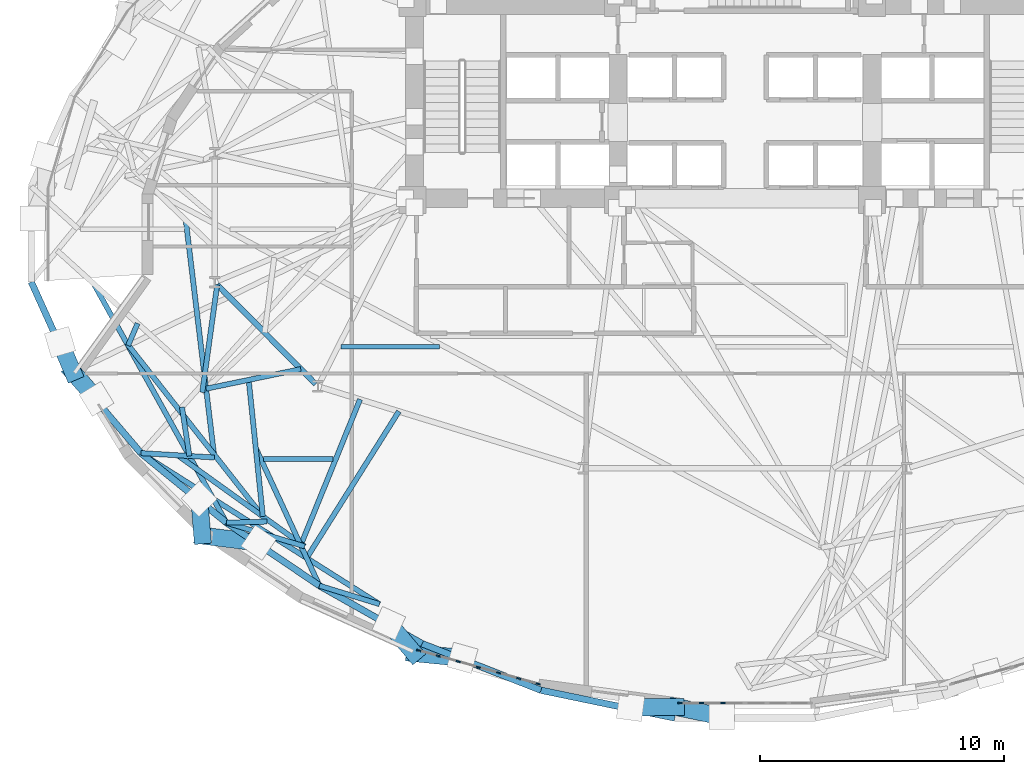
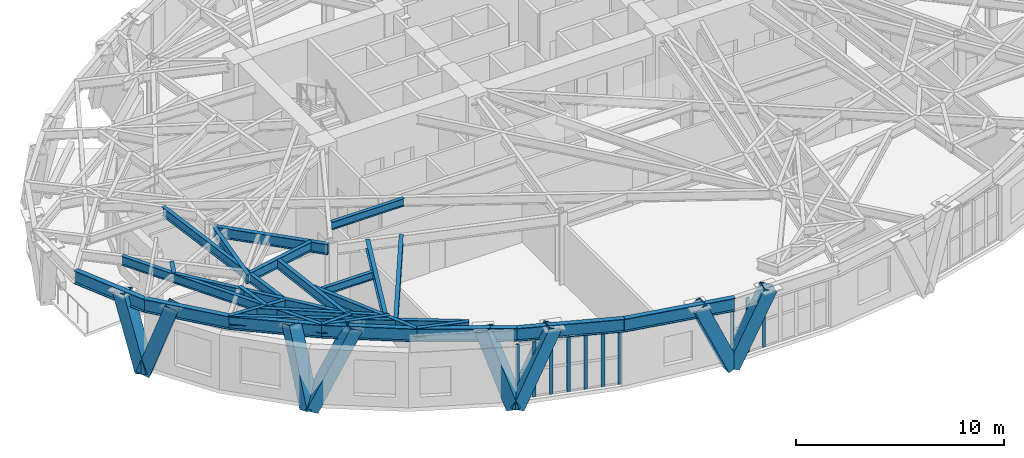
# One storey, part 2 of 20: 27 beams, 18 members, 2 elements without a shape of their own.
"""IFC4 building model written with IfcOpenShell, lengths in metres."""

from ifc_helpers import new_model, si_unit, direction, frame, origin, origin_2d, place, context, subcontext, project, spatial, rectangle, hollow_rectangle, i_section, extrude, material, layer, layer_set, material_profile, profile_set, type_object, element, aggregate, save


model = new_model("IFC4")

# Units and contexts
model_context = context("Model", 3, precision=1e-05, world=origin(), true_north=direction((0.0, 1.0)))
body_context = subcontext(model_context, "Body", "Model", "MODEL_VIEW")
ifc_project = project(units=[si_unit("LENGTHUNIT", "METRE"), si_unit("AREAUNIT", "SQUARE_METRE"), si_unit("VOLUMEUNIT", "CUBIC_METRE"), si_unit("PLANEANGLEUNIT", "RADIAN"), si_unit("MASSUNIT", "GRAM", prefix="KILO")], contexts=[model_context])

# Site, building, storey
site_placement = place(None, origin())
site = spatial("IfcSite", under=ifc_project, at=site_placement, CompositionType="ELEMENT")
building_placement = place(site_placement, origin())
building = spatial("IfcBuilding", under=site, at=building_placement, Name="Keldmark Tower", CompositionType="ELEMENT")
storey_placement = place(building_placement, frame((0.0, 0.0, 81.89990234375)))
storey = spatial("IfcBuildingStorey", under=building, at=storey_placement, Name="L21", CompositionType="ELEMENT", Elevation=81.89990234375)

# Beams
ifc_material_1 = material(Name="Steel ASTM A992 Grade 50", Category="steel")
ifc_material_profile_1 = material_profile(ifc_material_1, i_section(OverallWidth=0.19091796875, OverallDepth=0.45703125, WebThickness=0.009033203125, FlangeThickness=0.014404296875, at=origin_2d()), Name="W18X50")
ifc_profile_set_1 = profile_set([ifc_material_profile_1], Name="Steel ASTM A992 Grade 50")
beam_type_1 = type_object("IfcBeamType", Name="Composite Floor Joist W18X50", PredefinedType="JOIST", material=ifc_profile_set_1)
beam_1_placement = place(storey_placement, frame((-19.7080078125, -9.199951171875, 3.781494140625), z_axis=(1.0, 0.0, 0.0), x_axis=(0.0, 1.0, 0.0)))
element("IfcBeam", 1, at=beam_1_placement, inside=storey, type_object=beam_type_1, Name="L21 Composite Floor Joist J01", PredefinedType="JOIST", context=body_context, shape_type="SweptSolid", body=[
    extrude(i_section(OverallWidth=0.19091796875, OverallDepth=0.45703125, WebThickness=0.009033203125, FlangeThickness=0.014404296875, at=origin_2d()), origin(), (0.0, 0.0, 1.0), 2.857421875),
])
beam_2_placement = place(storey_placement, frame((-16.53857421875, -4.60009765625, 3.781494140625), z_axis=(1.0, 0.0, 0.0), x_axis=(0.0, 1.0, 0.0)))
element("IfcBeam", 2, at=beam_2_placement, inside=storey, type_object=beam_type_1, Name="L21 Composite Floor Joist J02", PredefinedType="JOIST", context=body_context, shape_type="SweptSolid", body=[
    extrude(i_section(OverallWidth=0.19091796875, OverallDepth=0.45703125, WebThickness=0.009033203125, FlangeThickness=0.014404296875, at=origin_2d()), origin(), (0.0, 0.0, 1.0), 4.03662109375),
])

# Curtain wall, members
ifc_material_2 = material(Name="Unitized Thermally Broken Aluminum and Triple Low-E Glazing", Category="aluminium")
ifc_layer = layer(ifc_material_2, 0.219970703125)
ifc_layer_set = layer_set([ifc_layer], Name="Unitized Thermally Broken Aluminum and Triple Low-E Glazing")
curtain_wall_type = type_object("IfcCurtainWallType", Name="Sky Lobby Amenity Curtain Wall System", PredefinedType="NOTDEFINED", material=ifc_layer_set)
curtain_wall_1_placement = place(storey_placement, origin())
curtain_wall_1 = element("IfcCurtainWall", 3, at=curtain_wall_1_placement, inside=storey, type_object=curtain_wall_type, Name="L21 Sky Lobby Amenity Curtain Wall System CW-L21-22", PredefinedType="NOTDEFINED")
ifc_material_3 = material(Name="Extruded Aluminum Alloy 6063-T6", Category="aluminium")
ifc_material_profile_2 = material_profile(ifc_material_3, rectangle(XDim=0.06005859375, YDim=0.179931640625, at=origin_2d()), Name="CWM60X180")
ifc_profile_set_2 = profile_set([ifc_material_profile_2], Name="Extruded Aluminum Alloy 6063-T6")
member_type_1 = type_object("IfcMemberType", Name="Curtain Wall Structural Mullion 60x180", PredefinedType="MULLION", material=ifc_profile_set_2)
member_1_placement = place(storey_placement, frame((-8.464599609375, -18.402587890625, 0.0), z_axis=(0.0, 0.0, 1.0), x_axis=(-0.270028458695, -0.962852341481, 0.0)))
member_1 = element("IfcMember", 4, at=member_1_placement, type_object=member_type_1, Name="CW mullion 1", PredefinedType="MULLION", context=body_context, shape_type="SweptSolid", body=[
    extrude(rectangle(XDim=0.06005859375, YDim=0.179931640625, at=origin_2d()), origin(), (0.0, 0.0, 1.0), 3.22802734375),
])
member_2_placement = place(storey_placement, frame((-9.260009765625, -18.179443359375, 0.0), z_axis=(0.0, 0.0, 1.0), x_axis=(-0.270028458695, -0.962852341481, 0.0)))
member_2 = element("IfcMember", 5, at=member_2_placement, type_object=member_type_1, Name="CW mullion 2", PredefinedType="MULLION", context=body_context, shape_type="SweptSolid", body=[
    extrude(rectangle(XDim=0.06005859375, YDim=0.179931640625, at=origin_2d()), origin(), (0.0, 0.0, 1.0), 3.22802734375),
])
member_3_placement = place(storey_placement, frame((-10.08447265625, -17.9482421875, 0.0), z_axis=(0.0, 0.0, 1.0), x_axis=(-0.270028458695, -0.962852341481, 0.0)))
member_3 = element("IfcMember", 6, at=member_3_placement, type_object=member_type_1, Name="CW mullion 3", PredefinedType="MULLION", context=body_context, shape_type="SweptSolid", body=[
    extrude(rectangle(XDim=0.06005859375, YDim=0.179931640625, at=origin_2d()), origin(), (0.0, 0.0, 1.0), 3.22802734375),
])
member_4_placement = place(storey_placement, frame((-10.90869140625, -17.717041015625, 0.0), z_axis=(0.0, 0.0, 1.0), x_axis=(-0.270028458695, -0.962852341481, 0.0)))
member_4 = element("IfcMember", 7, at=member_4_placement, type_object=member_type_1, Name="CW mullion 4", PredefinedType="MULLION", context=body_context, shape_type="SweptSolid", body=[
    extrude(rectangle(XDim=0.06005859375, YDim=0.179931640625, at=origin_2d()), origin(), (0.0, 0.0, 1.0), 3.22802734375),
])
member_5_placement = place(storey_placement, frame((-11.733154296875, -17.48583984375, 0.0), z_axis=(0.0, 0.0, 1.0), x_axis=(-0.270028458695, -0.962852341481, 0.0)))
member_5 = element("IfcMember", 8, at=member_5_placement, type_object=member_type_1, Name="CW mullion 5", PredefinedType="MULLION", context=body_context, shape_type="SweptSolid", body=[
    extrude(rectangle(XDim=0.06005859375, YDim=0.179931640625, at=origin_2d()), origin(), (0.0, 0.0, 1.0), 3.22802734375),
])
member_6_placement = place(storey_placement, frame((-12.5576171875, -17.254638671875, 0.0), z_axis=(0.0, 0.0, 1.0), x_axis=(-0.270028458695, -0.962852341481, 0.0)))
member_6 = element("IfcMember", 9, at=member_6_placement, type_object=member_type_1, Name="CW mullion 6", PredefinedType="MULLION", context=body_context, shape_type="SweptSolid", body=[
    extrude(rectangle(XDim=0.06005859375, YDim=0.179931640625, at=origin_2d()), origin(), (0.0, 0.0, 1.0), 3.22802734375),
])
member_7_placement = place(storey_placement, frame((-13.35302734375, -17.031494140625, 0.0), z_axis=(0.0, 0.0, 1.0), x_axis=(-0.270028458695, -0.962852341481, 0.0)))
member_7 = element("IfcMember", 10, at=member_7_placement, type_object=member_type_1, Name="CW mullion 7", PredefinedType="MULLION", context=body_context, shape_type="SweptSolid", body=[
    extrude(rectangle(XDim=0.06005859375, YDim=0.179931640625, at=origin_2d()), origin(), (0.0, 0.0, 1.0), 3.22802734375),
])
aggregate(curtain_wall_1, [member_1, member_2, member_3, member_4, member_5, member_6, member_7])

curtain_wall_2_placement = place(storey_placement, origin())
curtain_wall_2 = element("IfcCurtainWall", 11, at=curtain_wall_2_placement, inside=storey, type_object=curtain_wall_type, Name="L21 Sky Lobby Amenity Curtain Wall System CW-L21-24", PredefinedType="NOTDEFINED")
member_8_placement = place(storey_placement, frame((-0.894287109375, -19.18603515625, 0.0), z_axis=(0.0, 0.0, 1.0), x_axis=(0.0, -1.0, 0.0)))
member_8 = element("IfcMember", 12, at=member_8_placement, type_object=member_type_1, Name="CW mullion 5", PredefinedType="MULLION", context=body_context, shape_type="SweptSolid", body=[
    extrude(rectangle(XDim=0.06005859375, YDim=0.179931640625, at=origin_2d()), origin(), (0.0, 0.0, 1.0), 3.22802734375),
])
member_9_placement = place(storey_placement, frame((-1.78857421875, -19.18603515625, 0.0), z_axis=(0.0, 0.0, 1.0), x_axis=(0.0, -1.0, 0.0)))
member_9 = element("IfcMember", 13, at=member_9_placement, type_object=member_type_1, Name="CW mullion 6", PredefinedType="MULLION", context=body_context, shape_type="SweptSolid", body=[
    extrude(rectangle(XDim=0.06005859375, YDim=0.179931640625, at=origin_2d()), origin(), (0.0, 0.0, 1.0), 3.22802734375),
])
member_10_placement = place(storey_placement, frame((-2.65283203125, -19.18603515625, 0.0), z_axis=(0.0, 0.0, 1.0), x_axis=(0.0, -1.0, 0.0)))
member_10 = element("IfcMember", 14, at=member_10_placement, type_object=member_type_1, Name="CW mullion 7", PredefinedType="MULLION", context=body_context, shape_type="SweptSolid", body=[
    extrude(rectangle(XDim=0.06005859375, YDim=0.179931640625, at=origin_2d()), origin(), (0.0, 0.0, 1.0), 3.22802734375),
])
aggregate(curtain_wall_2, [member_8, member_9, member_10])

# Members
ifc_material_4 = material(Name="Steel ASTM A572 Grade 50", Category="steel")
ifc_material_profile_3 = material_profile(ifc_material_4, hollow_rectangle(XDim=0.699951171875, YDim=0.699951171875, WallThickness=0.054931640625, at=origin_2d()), Name="BOX700X700X55")
ifc_profile_set_3 = profile_set([ifc_material_profile_3], Name="Steel ASTM A572 Grade 50")
member_type_2 = type_object("IfcMemberType", Name="Diagrid Zone 1 Brace BOX700X700X55", PredefinedType="BRACE", material=ifc_profile_set_3)
member_11_placement = place(storey_placement, frame((-27.500244140625, -5.65478515625, -0.2998046875), z_axis=(-0.12044174913, 0.281049240485, 0.952105618873), x_axis=(-0.919154414374, -0.393897401028, 0.0)))
element("IfcMember", 15, at=member_11_placement, inside=storey, type_object=member_type_2, Name="L21 Perimeter Diagrid Brace 09A", PredefinedType="BRACE", context=body_context, shape_type="SweptSolid", body=[
    extrude(hollow_rectangle(XDim=0.699951171875, YDim=0.699951171875, WallThickness=0.054931640625, at=origin_2d()), origin(), (0.0, 0.0, 1.0), 4.400634765625),
])
member_12_placement = place(storey_placement, frame((-27.50244140625, -5.643310546875, -0.2998046875), z_axis=(0.217627513872, -0.247554047629, 0.944116125648), x_axis=(0.751044511296, 0.66025157482, 0.0)))
element("IfcMember", 16, at=member_12_placement, inside=storey, type_object=member_type_2, Name="L21 Perimeter Diagrid Brace 09B", PredefinedType="BRACE", context=body_context, shape_type="SweptSolid", body=[
    extrude(hollow_rectangle(XDim=0.699951171875, YDim=0.699951171875, WallThickness=0.054931640625, at=origin_2d()), origin(), (0.0, 0.0, 1.0), 4.43798828125),
])
member_13_placement = place(storey_placement, frame((-22.209716796875, -12.34228515625, -0.2998046875), z_axis=(-0.027823861202, 0.340075500402, 0.939986429037), x_axis=(-0.996669722655, -0.081544245307, 0.0)))
element("IfcMember", 17, at=member_13_placement, inside=storey, type_object=member_type_2, Name="L21 Perimeter Diagrid Brace 10A", PredefinedType="BRACE", context=body_context, shape_type="SweptSolid", body=[
    extrude(hollow_rectangle(XDim=0.699951171875, YDim=0.699951171875, WallThickness=0.054931640625, at=origin_2d()), origin(), (0.0, 0.0, 1.0), 4.45751953125),
])
member_14_placement = place(storey_placement, frame((-22.21630859375, -12.33251953125, -0.2998046875), z_axis=(0.482147603591, -0.061108695005, 0.8739561864), x_axis=(0.125736835379, 0.992063631139, 0.0)))
element("IfcMember", 18, at=member_14_placement, inside=storey, type_object=member_type_2, Name="L21 Perimeter Diagrid Brace 10B", PredefinedType="BRACE", context=body_context, shape_type="SweptSolid", body=[
    extrude(hollow_rectangle(XDim=0.699951171875, YDim=0.699951171875, WallThickness=0.054931640625, at=origin_2d()), origin(), (0.0, 0.0, 1.0), 4.794189453125),
])
member_15_placement = place(storey_placement, frame((-13.5380859375, -17.151123046875, -0.2998046875), z_axis=(-0.231139046021, 0.274593186673, 0.933366660663), x_axis=(-0.765044778208, -0.643977086034, 0.0)))
element("IfcMember", 19, at=member_15_placement, inside=storey, type_object=member_type_2, Name="L21 Perimeter Diagrid Brace 11A", PredefinedType="BRACE", context=body_context, shape_type="SweptSolid", body=[
    extrude(hollow_rectangle(XDim=0.699951171875, YDim=0.699951171875, WallThickness=0.054931640625, at=origin_2d()), origin(), (0.0, 0.0, 1.0), 4.489013671875),
])
member_16_placement = place(storey_placement, frame((-13.5478515625, -17.14453125, -0.2998046875), z_axis=(0.427483701348, -0.041674925094, 0.90306195009), x_axis=(0.097028926271, 0.995281561904, 0.0)))
element("IfcMember", 20, at=member_16_placement, inside=storey, type_object=member_type_2, Name="L21 Perimeter Diagrid Brace 11B", PredefinedType="BRACE", context=body_context, shape_type="SweptSolid", body=[
    extrude(hollow_rectangle(XDim=0.699951171875, YDim=0.699951171875, WallThickness=0.054931640625, at=origin_2d()), origin(), (0.0, 0.0, 1.0), 4.6396484375),
])
member_17_placement = place(storey_placement, frame((-2.805419921875, -19.3486328125, -0.2998046875), z_axis=(-0.409129143285, -0.002764745348, 0.912472301113), x_axis=(0.006757480537, -0.999977167968, 0.0)))
element("IfcMember", 21, at=member_17_placement, inside=storey, type_object=member_type_2, Name="L21 Perimeter Diagrid Brace 12A", PredefinedType="BRACE", context=body_context, shape_type="SweptSolid", body=[
    extrude(hollow_rectangle(XDim=0.699951171875, YDim=0.699951171875, WallThickness=0.054931640625, at=origin_2d()), origin(), (0.0, 0.0, 1.0), 4.591796875),
])
member_18_placement = place(storey_placement, frame((-2.81689453125, -19.346435546875, -0.2998046875), z_axis=(0.404995460676, -0.085083525727, 0.910351289603), x_axis=(0.205597030083, 0.978636736088, 0.0)))
element("IfcMember", 22, at=member_18_placement, inside=storey, type_object=member_type_2, Name="L21 Perimeter Diagrid Brace 12B", PredefinedType="BRACE", context=body_context, shape_type="SweptSolid", body=[
    extrude(hollow_rectangle(XDim=0.699951171875, YDim=0.699951171875, WallThickness=0.054931640625, at=origin_2d()), origin(), (0.0, 0.0, 1.0), 4.6025390625),
])

# Beams
ifc_material_5 = material(Name="Steel ASTM A992 Grade 50", Category="steel")
ifc_material_profile_4 = material_profile(ifc_material_5, i_section(OverallWidth=0.22900390625, OverallDepth=0.612060546875, WebThickness=0.011962890625, FlangeThickness=0.01953125, at=origin_2d()), Name="W24X84")
ifc_profile_set_4 = profile_set([ifc_material_profile_4], Name="Steel ASTM A992 Grade 50")
beam_type_2 = type_object("IfcBeamType", Name="Primary Floor Girder W24X84", PredefinedType="BEAM", material=ifc_profile_set_4)
beam_3_placement = place(storey_placement, frame((-21.598388671875, -2.0654296875, 3.7041015625), z_axis=(0.703425791323, -0.71076870788, 0.0), x_axis=(0.71076870788, 0.703425791323, 0.0)))
element("IfcBeam", 23, at=beam_3_placement, inside=storey, type_object=beam_type_2, Name="L21 Floor Ring Girder FG-R07", PredefinedType="BEAM", context=body_context, shape_type="SweptSolid", body=[
    extrude(i_section(OverallWidth=0.22900390625, OverallDepth=0.612060546875, WebThickness=0.011962890625, FlangeThickness=0.01953125, at=origin_2d()), origin(), (0.0, 0.0, 1.0), 5.71875),
])
ifc_material_6 = material(Name="Steel ASTM A992 Grade 50", Category="steel")
ifc_material_profile_5 = material_profile(ifc_material_6, i_section(OverallWidth=0.2099609375, OverallDepth=0.537109375, WebThickness=0.010986328125, FlangeThickness=0.017333984375, at=origin_2d()), Name="W21X68")
ifc_profile_set_5 = profile_set([ifc_material_profile_5], Name="Steel ASTM A992 Grade 50")
beam_type_3 = type_object("IfcBeamType", Name="Radial Tie Girder W21X68", PredefinedType="BEAM", material=ifc_profile_set_5)
beam_4_placement = place(storey_placement, frame((-21.598388671875, -2.0654296875, 3.74169921875), z_axis=(-0.137339492134, -0.990524034994, 0.0), x_axis=(0.990524034994, -0.137339492134, 0.0)))
element("IfcBeam", 24, at=beam_4_placement, inside=storey, type_object=beam_type_3, Name="L21 Local Collector Chord RT-19C", PredefinedType="BEAM", context=body_context, shape_type="SweptSolid", body=[
    extrude(i_section(OverallWidth=0.2099609375, OverallDepth=0.537109375, WebThickness=0.010986328125, FlangeThickness=0.017333984375, at=origin_2d()), origin(), (0.0, 0.0, 1.0), 4.44775390625),
])
beam_5_placement = place(storey_placement, frame((-18.17919921875, -5.5205078125, 3.74169921875), z_axis=(-0.979253664514, -0.202638250426, 0.0), x_axis=(0.202638250426, -0.979253664514, 0.0)))
element("IfcBeam", 25, at=beam_5_placement, inside=storey, type_object=beam_type_3, Name="L21 Framing Pin Header PH-025", PredefinedType="BEAM", context=body_context, shape_type="SweptSolid", body=[
    extrude(i_section(OverallWidth=0.2099609375, OverallDepth=0.537109375, WebThickness=0.010986328125, FlangeThickness=0.017333984375, at=origin_2d()), origin(), (0.0, 0.0, 1.0), 3.95654296875),
])
beam_6_placement = place(storey_placement, frame((-22.884521484375, 0.572509765625, 3.74169921875), z_axis=(0.119646231292, -0.992816588972, 0.0), x_axis=(0.992816588972, 0.119646231292, 0.0)))
element("IfcBeam", 26, at=beam_6_placement, inside=storey, type_object=beam_type_3, Name="L21 Intermediate Radial Step Girder RT-20M", PredefinedType="BEAM", context=body_context, shape_type="SweptSolid", body=[
    extrude(i_section(OverallWidth=0.2099609375, OverallDepth=0.537109375, WebThickness=0.010986328125, FlangeThickness=0.017333984375, at=origin_2d()), origin(), (0.0, 0.0, 1.0), 9.7802734375),
])
beam_7_placement = place(storey_placement, frame((-24.720458984375, -8.956298828125, 3.74169921875), z_axis=(0.99818920544, -0.060152391004, 0.0), x_axis=(0.060152391004, 0.99818920544, 0.0)))
element("IfcBeam", 27, at=beam_7_placement, inside=storey, type_object=beam_type_3, Name="L21 Local Collector Chord RT-20C", PredefinedType="BEAM", context=body_context, shape_type="SweptSolid", body=[
    extrude(i_section(OverallWidth=0.2099609375, OverallDepth=0.537109375, WebThickness=0.010986328125, FlangeThickness=0.017333984375, at=origin_2d()), origin(), (0.0, 0.0, 1.0), 3.011474609375),
])
beam_8_placement = place(storey_placement, frame((-23.041015625, -7.0771484375, 3.74169921875), z_axis=(0.151049979818, -0.988526126917, 0.0), x_axis=(0.988526126917, 0.151049979818, 0.0)))
element("IfcBeam", 28, at=beam_8_placement, inside=storey, type_object=beam_type_3, Name="L21 Framing Pin Header PH-026", PredefinedType="BEAM", context=body_context, shape_type="SweptSolid", body=[
    extrude(i_section(OverallWidth=0.2099609375, OverallDepth=0.537109375, WebThickness=0.010986328125, FlangeThickness=0.017333984375, at=origin_2d()), origin(), (0.0, 0.0, 1.0), 2.02197265625),
])
beam_9_placement = place(storey_placement, frame((-26.654541015625, -2.022705078125, 3.74169921875), z_axis=(0.485696652622, -0.874127428715, 0.0), x_axis=(0.874127428715, 0.485696652622, 0.0)))
element("IfcBeam", 29, at=beam_9_placement, inside=storey, type_object=beam_type_3, Name="L21 Perimeter Radial Tie Girder RT-20", PredefinedType="BEAM", context=body_context, shape_type="SweptSolid", body=[
    extrude(i_section(OverallWidth=0.2099609375, OverallDepth=0.537109375, WebThickness=0.010986328125, FlangeThickness=0.017333984375, at=origin_2d()), origin(), (0.0, 0.0, 1.0), 11.189697265625),
])
beam_10_placement = place(storey_placement, frame((-25.2958984375, -4.468017578125, 3.74169921875), z_axis=(0.617943607144, -0.786222422976, 0.0), x_axis=(0.786222422976, 0.617943607144, 0.0)))
element("IfcBeam", 30, at=beam_10_placement, inside=storey, type_object=beam_type_3, Name="L21 Intermediate Radial Step Girder RT-21M", PredefinedType="BEAM", context=body_context, shape_type="SweptSolid", body=[
    extrude(i_section(OverallWidth=0.2099609375, OverallDepth=0.537109375, WebThickness=0.010986328125, FlangeThickness=0.017333984375, at=origin_2d()), origin(), (0.0, 0.0, 1.0), 9.275146484375),
])
beam_11_placement = place(storey_placement, frame((-21.2197265625, -11.803955078125, 3.74169921875), z_axis=(0.999651670933, 0.026391983643, 0.0), x_axis=(-0.026391983643, 0.999651670933, 0.0)))
element("IfcBeam", 31, at=beam_11_placement, inside=storey, type_object=beam_type_3, Name="L21 Local Collector Chord RT-21C", PredefinedType="BEAM", context=body_context, shape_type="SweptSolid", body=[
    extrude(i_section(OverallWidth=0.2099609375, OverallDepth=0.537109375, WebThickness=0.010986328125, FlangeThickness=0.017333984375, at=origin_2d()), origin(), (0.0, 0.0, 1.0), 1.65576171875),
])
beam_12_placement = place(storey_placement, frame((-24.85498046875, -3.648193359375, 3.74169921875), z_axis=(-0.394782171524, -0.918774747719, 0.0), x_axis=(0.918774747719, -0.394782171524, 0.0)))
element("IfcBeam", 32, at=beam_12_placement, inside=storey, type_object=beam_type_3, Name="L21 Framing Pin Header PH-041", PredefinedType="BEAM", context=body_context, shape_type="SweptSolid", body=[
    extrude(i_section(OverallWidth=0.2099609375, OverallDepth=0.537109375, WebThickness=0.010986328125, FlangeThickness=0.017333984375, at=origin_2d()), origin(), (0.0, 0.0, 1.0), 0.989990234375),
])
beam_13_placement = place(storey_placement, frame((-20.31005859375, -5.96142578125, 3.74169921875), z_axis=(0.103139374545, -0.994666913805, 0.0), x_axis=(0.994666913805, 0.103139374545, 0.0)))
element("IfcBeam", 33, at=beam_13_placement, inside=storey, type_object=beam_type_3, Name="L21 Framing Pin Header PH-042", PredefinedType="BEAM", context=body_context, shape_type="SweptSolid", body=[
    extrude(i_section(OverallWidth=0.2099609375, OverallDepth=0.537109375, WebThickness=0.010986328125, FlangeThickness=0.017333984375, at=origin_2d()), origin(), (0.0, 0.0, 1.0), 5.6171875),
])
beam_14_placement = place(storey_placement, frame((-23.21728515625, -9.046875, 3.74169921875), z_axis=(0.812483220104, -0.582984577026, 0.0), x_axis=(0.582984577026, 0.812483220104, 0.0)))
element("IfcBeam", 34, at=beam_14_placement, inside=storey, type_object=beam_type_3, Name="L21 Crown Step Radial Girder RT-21RN1", PredefinedType="BEAM", context=body_context, shape_type="SweptSolid", body=[
    extrude(i_section(OverallWidth=0.2099609375, OverallDepth=0.537109375, WebThickness=0.010986328125, FlangeThickness=0.017333984375, at=origin_2d()), origin(), (0.0, 0.0, 1.0), 6.3955078125),
])
beam_15_placement = place(storey_placement, frame((-18.02099609375, -12.775390625, 3.74169921875), z_axis=(-0.956847946685, 0.290589068834, 0.0), x_axis=(-0.290589068834, -0.956847946685, 0.0)))
element("IfcBeam", 35, at=beam_15_placement, inside=storey, type_object=beam_type_3, Name="L21 Crown Step Collector Chord RT-21RP1", PredefinedType="BEAM", context=body_context, shape_type="SweptSolid", body=[
    extrude(i_section(OverallWidth=0.2099609375, OverallDepth=0.537109375, WebThickness=0.010986328125, FlangeThickness=0.017333984375, at=origin_2d()), origin(), (0.0, 0.0, 1.0), 3.343017578125),
])
beam_16_placement = place(storey_placement, frame((-15.75390625, -6.760986328125, 3.74169921875), z_axis=(-0.376893493368, -0.92625660303, 0.0), x_axis=(0.92625660303, -0.376893493368, 0.0)))
element("IfcBeam", 36, at=beam_16_placement, inside=storey, type_object=beam_type_3, Name="L21 Framing Pin Header PH-043", PredefinedType="BEAM", context=body_context, shape_type="SweptSolid", body=[
    extrude(i_section(OverallWidth=0.2099609375, OverallDepth=0.537109375, WebThickness=0.010986328125, FlangeThickness=0.017333984375, at=origin_2d()), origin(), (0.0, 0.0, 1.0), 6.440673828125),
])
beam_17_placement = place(storey_placement, frame((-20.0205078125, -8.7548828125, 3.74169921875), z_axis=(0.420166188299, -0.907447174336, 0.0), x_axis=(0.907447174336, 0.420166188299, 0.0)))
element("IfcBeam", 37, at=beam_17_placement, inside=storey, type_object=beam_type_3, Name="L21 Perimeter Radial Tie Girder RT-21R", PredefinedType="BEAM", context=body_context, shape_type="SweptSolid", body=[
    extrude(i_section(OverallWidth=0.2099609375, OverallDepth=0.537109375, WebThickness=0.010986328125, FlangeThickness=0.017333984375, at=origin_2d()), origin(), (0.0, 0.0, 1.0), 6.2021484375),
])
beam_18_placement = place(storey_placement, frame((-14.164306640625, -7.2509765625, 3.74169921875), z_axis=(-0.532433207689, -0.846472019236, 0.0), x_axis=(0.846472019236, -0.532433207689, 0.0)))
element("IfcBeam", 38, at=beam_18_placement, inside=storey, type_object=beam_type_3, Name="L21 Framing Pin Header PH-044", PredefinedType="BEAM", context=body_context, shape_type="SweptSolid", body=[
    extrude(i_section(OverallWidth=0.2099609375, OverallDepth=0.537109375, WebThickness=0.010986328125, FlangeThickness=0.017333984375, at=origin_2d()), origin(), (0.0, 0.0, 1.0), 7.088623046875),
])
beam_19_placement = place(storey_placement, frame((-24.720458984375, -8.956298828125, 3.74169921875), z_axis=(0.844831492409, -0.535032475121, 0.0), x_axis=(0.535032475121, 0.844831492409, 0.0)))
element("IfcBeam", 39, at=beam_19_placement, inside=storey, type_object=beam_type_3, Name="L21 Crown Step Radial Girder RT-22RN1", PredefinedType="BEAM", context=body_context, shape_type="SweptSolid", body=[
    extrude(i_section(OverallWidth=0.2099609375, OverallDepth=0.537109375, WebThickness=0.010986328125, FlangeThickness=0.017333984375, at=origin_2d()), origin(), (0.0, 0.0, 1.0), 11.5537109375),
])
beam_20_placement = place(storey_placement, frame((-14.95947265625, -15.137939453125, 3.74169921875), z_axis=(-0.955836535035, 0.293898823223, 0.0), x_axis=(-0.293898823223, -0.955836535035, 0.0)))
element("IfcBeam", 40, at=beam_20_placement, inside=storey, type_object=beam_type_3, Name="L21 Crown Step Collector Chord RT-22RP1", PredefinedType="BEAM", context=body_context, shape_type="SweptSolid", body=[
    extrude(i_section(OverallWidth=0.2099609375, OverallDepth=0.537109375, WebThickness=0.010986328125, FlangeThickness=0.017333984375, at=origin_2d()), origin(), (0.0, 0.0, 1.0), 2.568603515625),
])
ifc_material_7 = material(Name="Steel ASTM A992 Grade 50", Category="steel")
ifc_material_profile_6 = material_profile(ifc_material_7, i_section(OverallWidth=0.26806640625, OverallDepth=0.77001953125, WebThickness=0.015625, FlangeThickness=0.025390625, at=origin_2d()), Name="W30X132")
ifc_profile_set_6 = profile_set([ifc_material_profile_6], Name="Steel ASTM A992 Grade 50")
beam_type_4 = type_object("IfcBeamType", Name="Spandrel Ring Beam W30X132", PredefinedType="SPANDREL", material=ifc_profile_set_6)
beam_21_placement = place(storey_placement, frame((-29.2080078125, -1.949951171875, 3.625), z_axis=(0.411809988363, -0.911269736952, 0.0), x_axis=(0.911269736952, 0.411809988363, 0.0)))
element("IfcBeam", 41, at=beam_21_placement, inside=storey, type_object=beam_type_4, Name="L21 Perimeter Spandrel Ring Beam SRB-17", PredefinedType="SPANDREL", context=body_context, shape_type="SweptSolid", body=[
    extrude(i_section(OverallWidth=0.26806640625, OverallDepth=0.77001953125, WebThickness=0.015625, FlangeThickness=0.025390625, at=origin_2d()), origin(), (0.0, 0.0, 1.0), 4.072265625),
])
beam_22_placement = place(storey_placement, frame((-27.531005859375, -5.660888671875, 3.625), z_axis=(0.648913975558, -0.760861782669, 0.0), x_axis=(0.760861782669, 0.648913975558, 0.0)))
element("IfcBeam", 42, at=beam_22_placement, inside=storey, type_object=beam_type_4, Name="L21 Perimeter Spandrel Ring Beam SRB-18", PredefinedType="SPANDREL", context=body_context, shape_type="SweptSolid", body=[
    extrude(i_section(OverallWidth=0.26806640625, OverallDepth=0.77001953125, WebThickness=0.015625, FlangeThickness=0.025390625, at=origin_2d()), origin(), (0.0, 0.0, 1.0), 4.3310546875),
])
beam_23_placement = place(storey_placement, frame((-24.720458984375, -8.956298828125, 3.625), z_axis=(0.775754770681, -0.631034496494, 0.0), x_axis=(0.631034496494, 0.775754770681, 0.0)))
element("IfcBeam", 43, at=beam_23_placement, inside=storey, type_object=beam_type_4, Name="L21 Perimeter Spandrel Ring Beam SRB-19", PredefinedType="SPANDREL", context=body_context, shape_type="SweptSolid", body=[
    extrude(i_section(OverallWidth=0.26806640625, OverallDepth=0.77001953125, WebThickness=0.015625, FlangeThickness=0.025390625, at=origin_2d()), origin(), (0.0, 0.0, 1.0), 4.5126953125),
])
beam_24_placement = place(storey_placement, frame((-21.2197265625, -11.803955078125, 3.625), z_axis=(0.827777061901, -0.561057159112, 0.0), x_axis=(0.561057159112, 0.827777061901, 0.0)))
element("IfcBeam", 44, at=beam_24_placement, inside=storey, type_object=beam_type_4, Name="L21 Perimeter Spandrel Ring Beam SRB-20", PredefinedType="SPANDREL", context=body_context, shape_type="SweptSolid", body=[
    extrude(i_section(OverallWidth=0.26806640625, OverallDepth=0.77001953125, WebThickness=0.015625, FlangeThickness=0.025390625, at=origin_2d()), origin(), (0.0, 0.0, 1.0), 4.596923828125),
])
beam_25_placement = place(storey_placement, frame((-17.41455078125, -14.383056640625, 3.625), z_axis=(0.870720175304, -0.491778787993, 0.0), x_axis=(0.491778787993, 0.870720175304, 0.0)))
element("IfcBeam", 45, at=beam_25_placement, inside=storey, type_object=beam_type_4, Name="L21 Perimeter Spandrel Ring Beam SRB-21", PredefinedType="SPANDREL", context=body_context, shape_type="SweptSolid", body=[
    extrude(i_section(OverallWidth=0.26806640625, OverallDepth=0.77001953125, WebThickness=0.015625, FlangeThickness=0.025390625, at=origin_2d()), origin(), (0.0, 0.0, 1.0), 4.824951171875),
])
beam_26_placement = place(storey_placement, frame((-13.21337890625, -16.755859375, 3.625), z_axis=(0.931075053727, -0.364827691284, 0.0), x_axis=(0.364827691284, 0.931075053727, 0.0)))
element("IfcBeam", 46, at=beam_26_placement, inside=storey, type_object=beam_type_4, Name="L21 Perimeter Spandrel Ring Beam SRB-22", PredefinedType="SPANDREL", context=body_context, shape_type="SweptSolid", body=[
    extrude(i_section(OverallWidth=0.26806640625, OverallDepth=0.77001953125, WebThickness=0.015625, FlangeThickness=0.025390625, at=origin_2d()), origin(), (0.0, 0.0, 1.0), 5.2216796875),
])
beam_27_placement = place(storey_placement, frame((-8.3515625, -18.660888671875, 3.625), z_axis=(0.979118590293, -0.20328990664, 0.0), x_axis=(0.20328990664, 0.979118590293, 0.0)))
element("IfcBeam", 47, at=beam_27_placement, inside=storey, type_object=beam_type_4, Name="L21 Perimeter Spandrel Ring Beam SRB-23", PredefinedType="SPANDREL", context=body_context, shape_type="SweptSolid", body=[
    extrude(i_section(OverallWidth=0.26806640625, OverallDepth=0.77001953125, WebThickness=0.015625, FlangeThickness=0.025390625, at=origin_2d()), origin(), (0.0, 0.0, 1.0), 5.591552734375),
])

save(model, "model.ifc")
